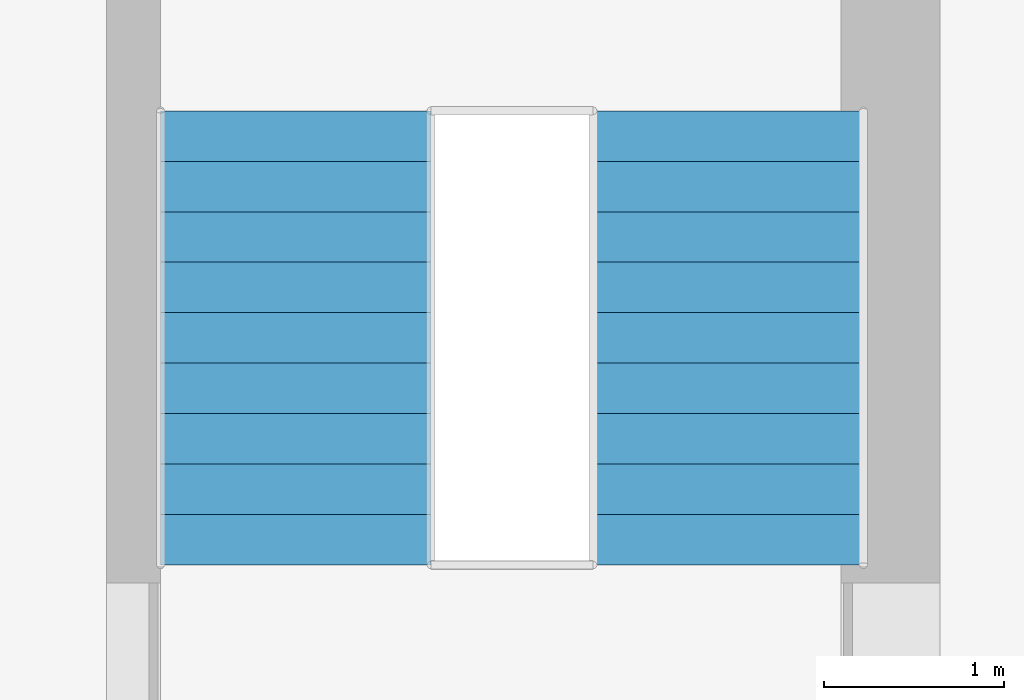
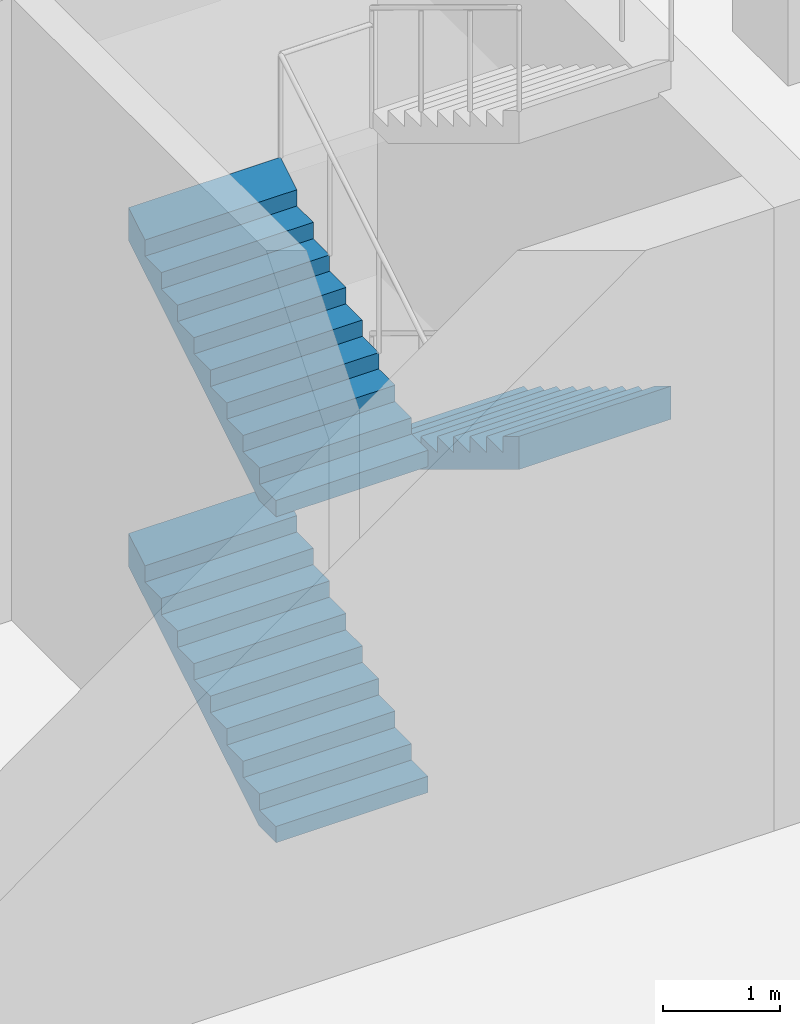
# One storey, part 4 of 10: 3 stair flights, 1 element without a shape of its own.
"""IFC4 building model written with IfcOpenShell, lengths in metres."""

from ifc_helpers import new_model, si_unit, direction, frame, origin, place, context, subcontext, project, spatial, triangles, material, type_object, element, aggregate, save


model = new_model("IFC4")

# Units and contexts
model_context = context("Model", 3, precision=1e-05, world=origin(), true_north=direction((0.0, 1.0)))
body_context = subcontext(model_context, "Body", "Model", "MODEL_VIEW")
ifc_project = project(units=[si_unit("LENGTHUNIT", "METRE"), si_unit("AREAUNIT", "SQUARE_METRE"), si_unit("VOLUMEUNIT", "CUBIC_METRE"), si_unit("PLANEANGLEUNIT", "RADIAN"), si_unit("MASSUNIT", "GRAM", prefix="KILO")], contexts=[model_context])

# Site, building, storey
site_placement = place(None, origin())
site = spatial("IfcSite", under=ifc_project, at=site_placement, CompositionType="ELEMENT")
building_placement = place(site_placement, origin())
building = spatial("IfcBuilding", under=site, at=building_placement, Name="Ludao Terraces", CompositionType="ELEMENT")
storey_placement = place(building_placement, frame((0.0, 0.0, 116.89990234375)))
storey = spatial("IfcBuildingStorey", under=building, at=storey_placement, Name="L32", CompositionType="ELEMENT", Elevation=116.89990234375)

# Stair, stair flights
ifc_material = material(Name="Concrete C40", Category="concrete")
stair_type = type_object("IfcStairType", Name="INT Stair", PredefinedType="HALF_TURN_STAIR", material=ifc_material)
stair_placement = place(storey_placement, origin())
stair = element("IfcStair", 1, at=stair_placement, inside=storey, type_object=stair_type, Name="EXIT STAIR 3", PredefinedType="HALF_TURN_STAIR")
stair_flight_type = type_object("IfcStairFlightType", Name="INT Stair flight", PredefinedType="STRAIGHT", material=ifc_material)
stair_flight_1_placement = place(storey_placement, frame((91.449951171875, 56.949951171875, 0.0), z_axis=(0.0, 0.0, 1.0), x_axis=(0.0, 1.0, 0.0)))
stair_flight_1 = element("IfcStairFlight", 2, at=stair_flight_1_placement, type_object=stair_flight_type, Name="ST3 flight 1", NumberOfRisers=10, NumberOfTreads=9, PredefinedType="STRAIGHT", RiserHeight=0.17, TreadLength=0.28, context=body_context, shape_type="Tessellation", body=[
    triangles([(0.0, -0.75, 0.0), (0.0, -0.5, 0.0), (0.0, -0.25, 0.0), (0.0, 0.0, 0.0), (0.0, 0.25, 0.0), (0.0, 0.5, 0.0), (0.0, 0.75, 0.0), (0.0, -0.75, 0.169921875), (0.0, -0.5, 0.169921875), (0.0, -0.25, 0.169921875), (0.0, 0.0, 0.169921875), (0.0, 0.25, 0.169921875), (0.0, 0.5, 0.169921875), (0.0, 0.75, 0.169921875), (0.280029296875, -0.75, 0.169921875), (0.280029296875, -0.5, 0.169921875), (0.280029296875, -0.25, 0.169921875), (0.280029296875, 0.0, 0.169921875), (0.280029296875, 0.25, 0.169921875), (0.280029296875, 0.5, 0.169921875), (0.280029296875, 0.75, 0.169921875), (0.280029296875, -0.75, 0.340087890625), (0.280029296875, -0.5, 0.340087890625), (0.280029296875, -0.25, 0.340087890625), (0.280029296875, 0.0, 0.340087890625), (0.280029296875, 0.25, 0.340087890625), (0.280029296875, 0.5, 0.340087890625), (0.280029296875, 0.75, 0.340087890625), (0.56005859375, -0.75, 0.340087890625), (0.56005859375, -0.5, 0.340087890625), (0.56005859375, -0.25, 0.340087890625), (0.56005859375, 0.0, 0.340087890625), (0.56005859375, 0.25, 0.340087890625), (0.56005859375, 0.5, 0.340087890625), (0.56005859375, 0.75, 0.340087890625), (0.56005859375, -0.75, 0.510009765625), (0.56005859375, -0.5, 0.510009765625), (0.56005859375, -0.25, 0.510009765625), (0.56005859375, 0.0, 0.510009765625), (0.56005859375, 0.25, 0.510009765625), (0.56005859375, 0.5, 0.510009765625), (0.56005859375, 0.75, 0.510009765625), (0.840087890625, -0.75, 0.510009765625), (0.840087890625, -0.5, 0.510009765625), (0.840087890625, -0.25, 0.510009765625), (0.840087890625, 0.0, 0.510009765625), (0.840087890625, 0.25, 0.510009765625), (0.840087890625, 0.5, 0.510009765625), (0.840087890625, 0.75, 0.510009765625), (0.840087890625, -0.75, 0.679931640625), (0.840087890625, -0.5, 0.679931640625), (0.840087890625, -0.25, 0.679931640625), (0.840087890625, 0.0, 0.679931640625), (0.840087890625, 0.25, 0.679931640625), (0.840087890625, 0.5, 0.679931640625), (0.840087890625, 0.75, 0.679931640625), (1.1201171875, -0.75, 0.679931640625), (1.1201171875, -0.5, 0.679931640625), (1.1201171875, -0.25, 0.679931640625), (1.1201171875, 0.0, 0.679931640625), (1.1201171875, 0.25, 0.679931640625), (1.1201171875, 0.5, 0.679931640625), (1.1201171875, 0.75, 0.679931640625), (1.1201171875, -0.75, 0.85009765625), (1.1201171875, -0.5, 0.85009765625), (1.1201171875, -0.25, 0.85009765625), (1.1201171875, 0.0, 0.85009765625), (1.1201171875, 0.25, 0.85009765625), (1.1201171875, 0.5, 0.85009765625), (1.1201171875, 0.75, 0.85009765625), (1.39990234375, -0.75, 0.85009765625), (1.39990234375, -0.5, 0.85009765625), (1.39990234375, -0.25, 0.85009765625), (1.39990234375, 0.0, 0.85009765625), (1.39990234375, 0.25, 0.85009765625), (1.39990234375, 0.5, 0.85009765625), (1.39990234375, 0.75, 0.85009765625), (1.39990234375, -0.75, 1.02001953125), (1.39990234375, -0.5, 1.02001953125), (1.39990234375, -0.25, 1.02001953125), (1.39990234375, 0.0, 1.02001953125), (1.39990234375, 0.25, 1.02001953125), (1.39990234375, 0.5, 1.02001953125), (1.39990234375, 0.75, 1.02001953125), (1.679931640625, -0.75, 1.02001953125), (1.679931640625, -0.5, 1.02001953125), (1.679931640625, -0.25, 1.02001953125), (1.679931640625, 0.0, 1.02001953125), (1.679931640625, 0.25, 1.02001953125), (1.679931640625, 0.5, 1.02001953125), (1.679931640625, 0.75, 1.02001953125), (1.679931640625, -0.75, 1.18994140625), (1.679931640625, -0.5, 1.18994140625), (1.679931640625, -0.25, 1.18994140625), (1.679931640625, 0.0, 1.18994140625), (1.679931640625, 0.25, 1.18994140625), (1.679931640625, 0.5, 1.18994140625), (1.679931640625, 0.75, 1.18994140625), (1.9599609375, -0.75, 1.18994140625), (1.9599609375, -0.5, 1.18994140625), (1.9599609375, -0.25, 1.18994140625), (1.9599609375, 0.0, 1.18994140625), (1.9599609375, 0.25, 1.18994140625), (1.9599609375, 0.5, 1.18994140625), (1.9599609375, 0.75, 1.18994140625), (1.9599609375, -0.75, 1.360107421875), (1.9599609375, -0.5, 1.360107421875), (1.9599609375, -0.25, 1.360107421875), (1.9599609375, 0.0, 1.360107421875), (1.9599609375, 0.25, 1.360107421875), (1.9599609375, 0.5, 1.360107421875), (1.9599609375, 0.75, 1.360107421875), (2.239990234375, -0.75, 1.360107421875), (2.239990234375, -0.5, 1.360107421875), (2.239990234375, -0.25, 1.360107421875), (2.239990234375, 0.0, 1.360107421875), (2.239990234375, 0.25, 1.360107421875), (2.239990234375, 0.5, 1.360107421875), (2.239990234375, 0.75, 1.360107421875), (2.239990234375, -0.75, 1.530029296875), (2.239990234375, -0.5, 1.530029296875), (2.239990234375, -0.25, 1.530029296875), (2.239990234375, 0.0, 1.530029296875), (2.239990234375, 0.25, 1.530029296875), (2.239990234375, 0.5, 1.530029296875), (2.239990234375, 0.75, 1.530029296875), (2.52001953125, -0.75, 1.699951171875), (2.52001953125, -0.5, 1.699951171875), (2.52001953125, -0.25, 1.699951171875), (2.52001953125, 0.0, 1.699951171875), (2.52001953125, 0.25, 1.699951171875), (2.52001953125, 0.5, 1.699951171875), (2.52001953125, 0.75, 1.699951171875), (2.52001953125, -0.75, 1.354736328125), (2.52001953125, -0.5, 1.354736328125), (2.52001953125, -0.25, 1.354736328125), (2.52001953125, 0.0, 1.354736328125), (2.52001953125, 0.25, 1.354736328125), (2.52001953125, 0.5, 1.354736328125), (2.52001953125, 0.75, 1.354736328125), (0.288818359375, -0.75, 0.0), (0.288818359375, -0.5, 0.0), (0.288818359375, -0.25, 0.0), (0.288818359375, 0.0, 0.0), (0.288818359375, 0.25, 0.0), (0.288818359375, 0.5, 0.0), (0.288818359375, 0.75, 0.0)], [[1, 141, 134], [7, 140, 147], [134, 127, 120], [140, 126, 133], [134, 120, 113], [140, 119, 126], [134, 113, 106], [140, 112, 119], [134, 106, 99], [140, 105, 112], [99, 92, 85], [105, 91, 98], [134, 99, 85], [140, 91, 105], [85, 78, 71], [91, 77, 84], [134, 85, 71], [140, 77, 91], [71, 64, 57], [77, 63, 70], [134, 71, 57], [140, 63, 77], [57, 50, 43], [63, 49, 56], [134, 57, 43], [140, 49, 63], [43, 36, 29], [49, 35, 42], [134, 43, 29], [140, 35, 49], [29, 22, 15], [35, 21, 28], [134, 29, 15], [140, 21, 35], [1, 134, 15], [7, 21, 140], [15, 8, 1], [21, 7, 14], [1, 9, 2], [1, 8, 9], [2, 10, 3], [2, 9, 10], [3, 11, 4], [3, 10, 11], [4, 12, 5], [4, 11, 12], [5, 13, 6], [5, 12, 13], [6, 14, 7], [6, 13, 14], [8, 16, 9], [8, 15, 16], [9, 17, 10], [9, 16, 17], [10, 18, 11], [10, 17, 18], [11, 19, 12], [11, 18, 19], [12, 20, 13], [12, 19, 20], [13, 21, 14], [13, 20, 21], [15, 23, 16], [15, 22, 23], [16, 24, 17], [16, 23, 24], [17, 25, 18], [17, 24, 25], [18, 26, 19], [18, 25, 26], [19, 27, 20], [19, 26, 27], [20, 28, 21], [20, 27, 28], [22, 30, 23], [22, 29, 30], [23, 31, 24], [23, 30, 31], [24, 32, 25], [24, 31, 32], [25, 33, 26], [25, 32, 33], [26, 34, 27], [26, 33, 34], [27, 35, 28], [27, 34, 35], [29, 37, 30], [29, 36, 37], [30, 38, 31], [30, 37, 38], [31, 39, 32], [31, 38, 39], [32, 40, 33], [32, 39, 40], [33, 41, 34], [33, 40, 41], [34, 42, 35], [34, 41, 42], [36, 44, 37], [36, 43, 44], [37, 45, 38], [37, 44, 45], [38, 46, 39], [38, 45, 46], [39, 47, 40], [39, 46, 47], [40, 48, 41], [40, 47, 48], [41, 49, 42], [41, 48, 49], [43, 51, 44], [43, 50, 51], [44, 52, 45], [44, 51, 52], [45, 53, 46], [45, 52, 53], [46, 54, 47], [46, 53, 54], [47, 55, 48], [47, 54, 55], [48, 56, 49], [48, 55, 56], [50, 58, 51], [50, 57, 58], [51, 59, 52], [51, 58, 59], [52, 60, 53], [52, 59, 60], [53, 61, 54], [53, 60, 61], [54, 62, 55], [54, 61, 62], [55, 63, 56], [55, 62, 63], [57, 65, 58], [57, 64, 65], [58, 66, 59], [58, 65, 66], [59, 67, 60], [59, 66, 67], [60, 68, 61], [60, 67, 68], [61, 69, 62], [61, 68, 69], [62, 70, 63], [62, 69, 70], [64, 72, 65], [64, 71, 72], [65, 73, 66], [65, 72, 73], [66, 74, 67], [66, 73, 74], [67, 75, 68], [67, 74, 75], [68, 76, 69], [68, 75, 76], [69, 77, 70], [69, 76, 77], [71, 79, 72], [71, 78, 79], [72, 80, 73], [72, 79, 80], [73, 81, 74], [73, 80, 81], [74, 82, 75], [74, 81, 82], [75, 83, 76], [75, 82, 83], [76, 84, 77], [76, 83, 84], [78, 86, 79], [78, 85, 86], [79, 87, 80], [79, 86, 87], [80, 88, 81], [80, 87, 88], [81, 89, 82], [81, 88, 89], [82, 90, 83], [82, 89, 90], [83, 91, 84], [83, 90, 91], [85, 93, 86], [85, 92, 93], [86, 94, 87], [86, 93, 94], [87, 95, 88], [87, 94, 95], [88, 96, 89], [88, 95, 96], [89, 97, 90], [89, 96, 97], [90, 98, 91], [90, 97, 98], [92, 100, 93], [92, 99, 100], [93, 101, 94], [93, 100, 101], [94, 102, 95], [94, 101, 102], [95, 103, 96], [95, 102, 103], [96, 104, 97], [96, 103, 104], [97, 105, 98], [97, 104, 105], [99, 107, 100], [99, 106, 107], [100, 108, 101], [100, 107, 108], [101, 109, 102], [101, 108, 109], [102, 110, 103], [102, 109, 110], [103, 111, 104], [103, 110, 111], [104, 112, 105], [104, 111, 112], [106, 114, 107], [106, 113, 114], [107, 115, 108], [107, 114, 115], [108, 116, 109], [108, 115, 116], [109, 117, 110], [109, 116, 117], [110, 118, 111], [110, 117, 118], [111, 119, 112], [111, 118, 119], [113, 121, 114], [113, 120, 121], [114, 122, 115], [114, 121, 122], [115, 123, 116], [115, 122, 123], [116, 124, 117], [116, 123, 124], [117, 125, 118], [117, 124, 125], [118, 126, 119], [118, 125, 126], [120, 128, 121], [120, 127, 128], [121, 129, 122], [121, 128, 129], [122, 130, 123], [122, 129, 130], [123, 131, 124], [123, 130, 131], [124, 132, 125], [124, 131, 132], [125, 133, 126], [125, 132, 133], [127, 135, 128], [127, 134, 135], [128, 136, 129], [128, 135, 136], [129, 137, 130], [129, 136, 137], [130, 138, 131], [130, 137, 138], [131, 139, 132], [131, 138, 139], [132, 140, 133], [132, 139, 140], [134, 142, 135], [134, 141, 142], [135, 143, 136], [135, 142, 143], [136, 144, 137], [136, 143, 144], [137, 145, 138], [137, 144, 145], [138, 146, 139], [138, 145, 146], [139, 147, 140], [139, 146, 147], [141, 2, 142], [141, 1, 2], [142, 3, 143], [142, 2, 3], [143, 4, 144], [143, 3, 4], [144, 5, 145], [144, 4, 5], [145, 6, 146], [145, 5, 6], [146, 7, 147], [146, 6, 7]], closed=True),
])
stair_flight_2_placement = place(storey_placement, frame((93.85009765625, 59.469970703125, 1.7001953125), z_axis=(0.0, 0.0, 1.0), x_axis=(0.0, -1.0, 0.0)))
stair_flight_2 = element("IfcStairFlight", 3, at=stair_flight_2_placement, type_object=stair_flight_type, Name="ST3 flight 2", NumberOfRisers=10, NumberOfTreads=9, PredefinedType="STRAIGHT", RiserHeight=0.17, TreadLength=0.28, context=body_context, shape_type="Tessellation", body=[
    triangles([(0.0, -0.75, 0.0), (0.0, -0.5, 0.0), (0.0, -0.25, 0.0), (0.0, 0.0, 0.0), (0.0, 0.25, 0.0), (0.0, 0.5, 0.0), (0.0, 0.75, 0.0), (0.0, -0.75, 0.169921875), (0.0, -0.5, 0.169921875), (0.0, -0.25, 0.169921875), (0.0, 0.0, 0.169921875), (0.0, 0.25, 0.169921875), (0.0, 0.5, 0.169921875), (0.0, 0.75, 0.169921875), (0.280029296875, -0.75, 0.169921875), (0.280029296875, -0.5, 0.169921875), (0.280029296875, -0.25, 0.169921875), (0.280029296875, 0.0, 0.169921875), (0.280029296875, 0.25, 0.169921875), (0.280029296875, 0.5, 0.169921875), (0.280029296875, 0.75, 0.169921875), (0.280029296875, -0.75, 0.340087890625), (0.280029296875, -0.5, 0.340087890625), (0.280029296875, -0.25, 0.340087890625), (0.280029296875, 0.0, 0.340087890625), (0.280029296875, 0.25, 0.340087890625), (0.280029296875, 0.5, 0.340087890625), (0.280029296875, 0.75, 0.340087890625), (0.56005859375, -0.75, 0.340087890625), (0.56005859375, -0.5, 0.340087890625), (0.56005859375, -0.25, 0.340087890625), (0.56005859375, 0.0, 0.340087890625), (0.56005859375, 0.25, 0.340087890625), (0.56005859375, 0.5, 0.340087890625), (0.56005859375, 0.75, 0.340087890625), (0.56005859375, -0.75, 0.510009765625), (0.56005859375, -0.5, 0.510009765625), (0.56005859375, -0.25, 0.510009765625), (0.56005859375, 0.0, 0.510009765625), (0.56005859375, 0.25, 0.510009765625), (0.56005859375, 0.5, 0.510009765625), (0.56005859375, 0.75, 0.510009765625), (0.840087890625, -0.75, 0.510009765625), (0.840087890625, -0.5, 0.510009765625), (0.840087890625, -0.25, 0.510009765625), (0.840087890625, 0.0, 0.510009765625), (0.840087890625, 0.25, 0.510009765625), (0.840087890625, 0.5, 0.510009765625), (0.840087890625, 0.75, 0.510009765625), (0.840087890625, -0.75, 0.679931640625), (0.840087890625, -0.5, 0.679931640625), (0.840087890625, -0.25, 0.679931640625), (0.840087890625, 0.0, 0.679931640625), (0.840087890625, 0.25, 0.679931640625), (0.840087890625, 0.5, 0.679931640625), (0.840087890625, 0.75, 0.679931640625), (1.1201171875, -0.75, 0.679931640625), (1.1201171875, -0.5, 0.679931640625), (1.1201171875, -0.25, 0.679931640625), (1.1201171875, 0.0, 0.679931640625), (1.1201171875, 0.25, 0.679931640625), (1.1201171875, 0.5, 0.679931640625), (1.1201171875, 0.75, 0.679931640625), (1.1201171875, -0.75, 0.85009765625), (1.1201171875, -0.5, 0.85009765625), (1.1201171875, -0.25, 0.85009765625), (1.1201171875, 0.0, 0.85009765625), (1.1201171875, 0.25, 0.85009765625), (1.1201171875, 0.5, 0.85009765625), (1.1201171875, 0.75, 0.85009765625), (1.39990234375, -0.75, 0.85009765625), (1.39990234375, -0.5, 0.85009765625), (1.39990234375, -0.25, 0.85009765625), (1.39990234375, 0.0, 0.85009765625), (1.39990234375, 0.25, 0.85009765625), (1.39990234375, 0.5, 0.85009765625), (1.39990234375, 0.75, 0.85009765625), (1.39990234375, -0.75, 1.02001953125), (1.39990234375, -0.5, 1.02001953125), (1.39990234375, -0.25, 1.02001953125), (1.39990234375, 0.0, 1.02001953125), (1.39990234375, 0.25, 1.02001953125), (1.39990234375, 0.5, 1.02001953125), (1.39990234375, 0.75, 1.02001953125), (1.679931640625, -0.75, 1.02001953125), (1.679931640625, -0.5, 1.02001953125), (1.679931640625, -0.25, 1.02001953125), (1.679931640625, 0.0, 1.02001953125), (1.679931640625, 0.25, 1.02001953125), (1.679931640625, 0.5, 1.02001953125), (1.679931640625, 0.75, 1.02001953125), (1.679931640625, -0.75, 1.18994140625), (1.679931640625, -0.5, 1.18994140625), (1.679931640625, -0.25, 1.18994140625), (1.679931640625, 0.0, 1.18994140625), (1.679931640625, 0.25, 1.18994140625), (1.679931640625, 0.5, 1.18994140625), (1.679931640625, 0.75, 1.18994140625), (1.9599609375, -0.75, 1.18994140625), (1.9599609375, -0.5, 1.18994140625), (1.9599609375, -0.25, 1.18994140625), (1.9599609375, 0.0, 1.18994140625), (1.9599609375, 0.25, 1.18994140625), (1.9599609375, 0.5, 1.18994140625), (1.9599609375, 0.75, 1.18994140625), (1.9599609375, -0.75, 1.360107421875), (1.9599609375, -0.5, 1.360107421875), (1.9599609375, -0.25, 1.360107421875), (1.9599609375, 0.0, 1.360107421875), (1.9599609375, 0.25, 1.360107421875), (1.9599609375, 0.5, 1.360107421875), (1.9599609375, 0.75, 1.360107421875), (2.239990234375, -0.75, 1.360107421875), (2.239990234375, -0.5, 1.360107421875), (2.239990234375, -0.25, 1.360107421875), (2.239990234375, 0.0, 1.360107421875), (2.239990234375, 0.25, 1.360107421875), (2.239990234375, 0.5, 1.360107421875), (2.239990234375, 0.75, 1.360107421875), (2.239990234375, -0.75, 1.530029296875), (2.239990234375, -0.5, 1.530029296875), (2.239990234375, -0.25, 1.530029296875), (2.239990234375, 0.0, 1.530029296875), (2.239990234375, 0.25, 1.530029296875), (2.239990234375, 0.5, 1.530029296875), (2.239990234375, 0.75, 1.530029296875), (2.52001953125, -0.75, 1.699951171875), (2.52001953125, -0.5, 1.699951171875), (2.52001953125, -0.25, 1.699951171875), (2.52001953125, 0.0, 1.699951171875), (2.52001953125, 0.25, 1.699951171875), (2.52001953125, 0.5, 1.699951171875), (2.52001953125, 0.75, 1.699951171875), (2.52001953125, -0.75, 1.354736328125), (2.52001953125, -0.5, 1.354736328125), (2.52001953125, -0.25, 1.354736328125), (2.52001953125, 0.0, 1.354736328125), (2.52001953125, 0.25, 1.354736328125), (2.52001953125, 0.5, 1.354736328125), (2.52001953125, 0.75, 1.354736328125), (0.288818359375, -0.75, 0.0), (0.288818359375, -0.5, 0.0), (0.288818359375, -0.25, 0.0), (0.288818359375, 0.0, 0.0), (0.288818359375, 0.25, 0.0), (0.288818359375, 0.5, 0.0), (0.288818359375, 0.75, 0.0)], [[1, 141, 134], [7, 140, 147], [134, 127, 120], [140, 126, 133], [134, 120, 113], [140, 119, 126], [134, 113, 106], [140, 112, 119], [134, 106, 99], [140, 105, 112], [99, 92, 85], [105, 91, 98], [134, 99, 85], [140, 91, 105], [85, 78, 71], [91, 77, 84], [134, 85, 71], [140, 77, 91], [71, 64, 57], [77, 63, 70], [134, 71, 57], [140, 63, 77], [57, 50, 43], [63, 49, 56], [134, 57, 43], [140, 49, 63], [43, 36, 29], [49, 35, 42], [134, 43, 29], [140, 35, 49], [29, 22, 15], [35, 21, 28], [134, 29, 15], [140, 21, 35], [1, 134, 15], [7, 21, 140], [15, 8, 1], [21, 7, 14], [1, 9, 2], [1, 8, 9], [2, 10, 3], [2, 9, 10], [3, 11, 4], [3, 10, 11], [4, 12, 5], [4, 11, 12], [5, 13, 6], [5, 12, 13], [6, 14, 7], [6, 13, 14], [8, 16, 9], [8, 15, 16], [9, 17, 10], [9, 16, 17], [10, 18, 11], [10, 17, 18], [11, 19, 12], [11, 18, 19], [12, 20, 13], [12, 19, 20], [13, 21, 14], [13, 20, 21], [15, 23, 16], [15, 22, 23], [16, 24, 17], [16, 23, 24], [17, 25, 18], [17, 24, 25], [18, 26, 19], [18, 25, 26], [19, 27, 20], [19, 26, 27], [20, 28, 21], [20, 27, 28], [22, 30, 23], [22, 29, 30], [23, 31, 24], [23, 30, 31], [24, 32, 25], [24, 31, 32], [25, 33, 26], [25, 32, 33], [26, 34, 27], [26, 33, 34], [27, 35, 28], [27, 34, 35], [29, 37, 30], [29, 36, 37], [30, 38, 31], [30, 37, 38], [31, 39, 32], [31, 38, 39], [32, 40, 33], [32, 39, 40], [33, 41, 34], [33, 40, 41], [34, 42, 35], [34, 41, 42], [36, 44, 37], [36, 43, 44], [37, 45, 38], [37, 44, 45], [38, 46, 39], [38, 45, 46], [39, 47, 40], [39, 46, 47], [40, 48, 41], [40, 47, 48], [41, 49, 42], [41, 48, 49], [43, 51, 44], [43, 50, 51], [44, 52, 45], [44, 51, 52], [45, 53, 46], [45, 52, 53], [46, 54, 47], [46, 53, 54], [47, 55, 48], [47, 54, 55], [48, 56, 49], [48, 55, 56], [50, 58, 51], [50, 57, 58], [51, 59, 52], [51, 58, 59], [52, 60, 53], [52, 59, 60], [53, 61, 54], [53, 60, 61], [54, 62, 55], [54, 61, 62], [55, 63, 56], [55, 62, 63], [57, 65, 58], [57, 64, 65], [58, 66, 59], [58, 65, 66], [59, 67, 60], [59, 66, 67], [60, 68, 61], [60, 67, 68], [61, 69, 62], [61, 68, 69], [62, 70, 63], [62, 69, 70], [64, 72, 65], [64, 71, 72], [65, 73, 66], [65, 72, 73], [66, 74, 67], [66, 73, 74], [67, 75, 68], [67, 74, 75], [68, 76, 69], [68, 75, 76], [69, 77, 70], [69, 76, 77], [71, 79, 72], [71, 78, 79], [72, 80, 73], [72, 79, 80], [73, 81, 74], [73, 80, 81], [74, 82, 75], [74, 81, 82], [75, 83, 76], [75, 82, 83], [76, 84, 77], [76, 83, 84], [78, 86, 79], [78, 85, 86], [79, 87, 80], [79, 86, 87], [80, 88, 81], [80, 87, 88], [81, 89, 82], [81, 88, 89], [82, 90, 83], [82, 89, 90], [83, 91, 84], [83, 90, 91], [85, 93, 86], [85, 92, 93], [86, 94, 87], [86, 93, 94], [87, 95, 88], [87, 94, 95], [88, 96, 89], [88, 95, 96], [89, 97, 90], [89, 96, 97], [90, 98, 91], [90, 97, 98], [92, 100, 93], [92, 99, 100], [93, 101, 94], [93, 100, 101], [94, 102, 95], [94, 101, 102], [95, 103, 96], [95, 102, 103], [96, 104, 97], [96, 103, 104], [97, 105, 98], [97, 104, 105], [99, 107, 100], [99, 106, 107], [100, 108, 101], [100, 107, 108], [101, 109, 102], [101, 108, 109], [102, 110, 103], [102, 109, 110], [103, 111, 104], [103, 110, 111], [104, 112, 105], [104, 111, 112], [106, 114, 107], [106, 113, 114], [107, 115, 108], [107, 114, 115], [108, 116, 109], [108, 115, 116], [109, 117, 110], [109, 116, 117], [110, 118, 111], [110, 117, 118], [111, 119, 112], [111, 118, 119], [113, 121, 114], [113, 120, 121], [114, 122, 115], [114, 121, 122], [115, 123, 116], [115, 122, 123], [116, 124, 117], [116, 123, 124], [117, 125, 118], [117, 124, 125], [118, 126, 119], [118, 125, 126], [120, 128, 121], [120, 127, 128], [121, 129, 122], [121, 128, 129], [122, 130, 123], [122, 129, 130], [123, 131, 124], [123, 130, 131], [124, 132, 125], [124, 131, 132], [125, 133, 126], [125, 132, 133], [127, 135, 128], [127, 134, 135], [128, 136, 129], [128, 135, 136], [129, 137, 130], [129, 136, 137], [130, 138, 131], [130, 137, 138], [131, 139, 132], [131, 138, 139], [132, 140, 133], [132, 139, 140], [134, 142, 135], [134, 141, 142], [135, 143, 136], [135, 142, 143], [136, 144, 137], [136, 143, 144], [137, 145, 138], [137, 144, 145], [138, 146, 139], [138, 145, 146], [139, 147, 140], [139, 146, 147], [141, 2, 142], [141, 1, 2], [142, 3, 143], [142, 2, 3], [143, 4, 144], [143, 3, 4], [144, 5, 145], [144, 4, 5], [145, 6, 146], [145, 5, 6], [146, 7, 147], [146, 6, 7]], closed=True),
])
stair_flight_3_placement = place(storey_placement, frame((91.449951171875, 56.949951171875, 3.400146484375), z_axis=(0.0, 0.0, 1.0), x_axis=(0.0, 1.0, 0.0)))
stair_flight_3 = element("IfcStairFlight", 4, at=stair_flight_3_placement, type_object=stair_flight_type, Name="ST3 flight 3", NumberOfRisers=10, NumberOfTreads=9, PredefinedType="STRAIGHT", RiserHeight=0.17, TreadLength=0.28, context=body_context, shape_type="Tessellation", body=[
    triangles([(0.0, -0.75, 0.0), (0.0, -0.5, 0.0), (0.0, -0.25, 0.0), (0.0, 0.0, 0.0), (0.0, 0.25, 0.0), (0.0, 0.5, 0.0), (0.0, 0.75, 0.0), (0.0, -0.75, 0.169921875), (0.0, -0.5, 0.169921875), (0.0, -0.25, 0.169921875), (0.0, 0.0, 0.169921875), (0.0, 0.25, 0.169921875), (0.0, 0.5, 0.169921875), (0.0, 0.75, 0.169921875), (0.280029296875, -0.75, 0.169921875), (0.280029296875, -0.5, 0.169921875), (0.280029296875, -0.25, 0.169921875), (0.280029296875, 0.0, 0.169921875), (0.280029296875, 0.25, 0.169921875), (0.280029296875, 0.5, 0.169921875), (0.280029296875, 0.75, 0.169921875), (0.280029296875, -0.75, 0.340087890625), (0.280029296875, -0.5, 0.340087890625), (0.280029296875, -0.25, 0.340087890625), (0.280029296875, 0.0, 0.340087890625), (0.280029296875, 0.25, 0.340087890625), (0.280029296875, 0.5, 0.340087890625), (0.280029296875, 0.75, 0.340087890625), (0.56005859375, -0.75, 0.340087890625), (0.56005859375, -0.5, 0.340087890625), (0.56005859375, -0.25, 0.340087890625), (0.56005859375, 0.0, 0.340087890625), (0.56005859375, 0.25, 0.340087890625), (0.56005859375, 0.5, 0.340087890625), (0.56005859375, 0.75, 0.340087890625), (0.56005859375, -0.75, 0.510009765625), (0.56005859375, -0.5, 0.510009765625), (0.56005859375, -0.25, 0.510009765625), (0.56005859375, 0.0, 0.510009765625), (0.56005859375, 0.25, 0.510009765625), (0.56005859375, 0.5, 0.510009765625), (0.56005859375, 0.75, 0.510009765625), (0.840087890625, -0.75, 0.510009765625), (0.840087890625, -0.5, 0.510009765625), (0.840087890625, -0.25, 0.510009765625), (0.840087890625, 0.0, 0.510009765625), (0.840087890625, 0.25, 0.510009765625), (0.840087890625, 0.5, 0.510009765625), (0.840087890625, 0.75, 0.510009765625), (0.840087890625, -0.75, 0.679931640625), (0.840087890625, -0.5, 0.679931640625), (0.840087890625, -0.25, 0.679931640625), (0.840087890625, 0.0, 0.679931640625), (0.840087890625, 0.25, 0.679931640625), (0.840087890625, 0.5, 0.679931640625), (0.840087890625, 0.75, 0.679931640625), (1.1201171875, -0.75, 0.679931640625), (1.1201171875, -0.5, 0.679931640625), (1.1201171875, -0.25, 0.679931640625), (1.1201171875, 0.0, 0.679931640625), (1.1201171875, 0.25, 0.679931640625), (1.1201171875, 0.5, 0.679931640625), (1.1201171875, 0.75, 0.679931640625), (1.1201171875, -0.75, 0.85009765625), (1.1201171875, -0.5, 0.85009765625), (1.1201171875, -0.25, 0.85009765625), (1.1201171875, 0.0, 0.85009765625), (1.1201171875, 0.25, 0.85009765625), (1.1201171875, 0.5, 0.85009765625), (1.1201171875, 0.75, 0.85009765625), (1.39990234375, -0.75, 0.85009765625), (1.39990234375, -0.5, 0.85009765625), (1.39990234375, -0.25, 0.85009765625), (1.39990234375, 0.0, 0.85009765625), (1.39990234375, 0.25, 0.85009765625), (1.39990234375, 0.5, 0.85009765625), (1.39990234375, 0.75, 0.85009765625), (1.39990234375, -0.75, 1.02001953125), (1.39990234375, -0.5, 1.02001953125), (1.39990234375, -0.25, 1.02001953125), (1.39990234375, 0.0, 1.02001953125), (1.39990234375, 0.25, 1.02001953125), (1.39990234375, 0.5, 1.02001953125), (1.39990234375, 0.75, 1.02001953125), (1.679931640625, -0.75, 1.02001953125), (1.679931640625, -0.5, 1.02001953125), (1.679931640625, -0.25, 1.02001953125), (1.679931640625, 0.0, 1.02001953125), (1.679931640625, 0.25, 1.02001953125), (1.679931640625, 0.5, 1.02001953125), (1.679931640625, 0.75, 1.02001953125), (1.679931640625, -0.75, 1.18994140625), (1.679931640625, -0.5, 1.18994140625), (1.679931640625, -0.25, 1.18994140625), (1.679931640625, 0.0, 1.18994140625), (1.679931640625, 0.25, 1.18994140625), (1.679931640625, 0.5, 1.18994140625), (1.679931640625, 0.75, 1.18994140625), (1.9599609375, -0.75, 1.18994140625), (1.9599609375, -0.5, 1.18994140625), (1.9599609375, -0.25, 1.18994140625), (1.9599609375, 0.0, 1.18994140625), (1.9599609375, 0.25, 1.18994140625), (1.9599609375, 0.5, 1.18994140625), (1.9599609375, 0.75, 1.18994140625), (1.9599609375, -0.75, 1.360107421875), (1.9599609375, -0.5, 1.360107421875), (1.9599609375, -0.25, 1.360107421875), (1.9599609375, 0.0, 1.360107421875), (1.9599609375, 0.25, 1.360107421875), (1.9599609375, 0.5, 1.360107421875), (1.9599609375, 0.75, 1.360107421875), (2.239990234375, -0.75, 1.360107421875), (2.239990234375, -0.5, 1.360107421875), (2.239990234375, -0.25, 1.360107421875), (2.239990234375, 0.0, 1.360107421875), (2.239990234375, 0.25, 1.360107421875), (2.239990234375, 0.5, 1.360107421875), (2.239990234375, 0.75, 1.360107421875), (2.239990234375, -0.75, 1.530029296875), (2.239990234375, -0.5, 1.530029296875), (2.239990234375, -0.25, 1.530029296875), (2.239990234375, 0.0, 1.530029296875), (2.239990234375, 0.25, 1.530029296875), (2.239990234375, 0.5, 1.530029296875), (2.239990234375, 0.75, 1.530029296875), (2.52001953125, -0.75, 1.699951171875), (2.52001953125, -0.5, 1.699951171875), (2.52001953125, -0.25, 1.699951171875), (2.52001953125, 0.0, 1.699951171875), (2.52001953125, 0.25, 1.699951171875), (2.52001953125, 0.5, 1.699951171875), (2.52001953125, 0.75, 1.699951171875), (2.52001953125, -0.75, 1.354736328125), (2.52001953125, -0.5, 1.354736328125), (2.52001953125, -0.25, 1.354736328125), (2.52001953125, 0.0, 1.354736328125), (2.52001953125, 0.25, 1.354736328125), (2.52001953125, 0.5, 1.354736328125), (2.52001953125, 0.75, 1.354736328125), (0.288818359375, -0.75, 0.0), (0.288818359375, -0.5, 0.0), (0.288818359375, -0.25, 0.0), (0.288818359375, 0.0, 0.0), (0.288818359375, 0.25, 0.0), (0.288818359375, 0.5, 0.0), (0.288818359375, 0.75, 0.0)], [[1, 141, 134], [7, 140, 147], [134, 127, 120], [140, 126, 133], [134, 120, 113], [140, 119, 126], [134, 113, 106], [140, 112, 119], [134, 106, 99], [140, 105, 112], [99, 92, 85], [105, 91, 98], [134, 99, 85], [140, 91, 105], [85, 78, 71], [91, 77, 84], [134, 85, 71], [140, 77, 91], [71, 64, 57], [77, 63, 70], [134, 71, 57], [140, 63, 77], [57, 50, 43], [63, 49, 56], [134, 57, 43], [140, 49, 63], [43, 36, 29], [49, 35, 42], [134, 43, 29], [140, 35, 49], [29, 22, 15], [35, 21, 28], [134, 29, 15], [140, 21, 35], [1, 134, 15], [7, 21, 140], [15, 8, 1], [21, 7, 14], [1, 9, 2], [1, 8, 9], [2, 10, 3], [2, 9, 10], [3, 11, 4], [3, 10, 11], [4, 12, 5], [4, 11, 12], [5, 13, 6], [5, 12, 13], [6, 14, 7], [6, 13, 14], [8, 16, 9], [8, 15, 16], [9, 17, 10], [9, 16, 17], [10, 18, 11], [10, 17, 18], [11, 19, 12], [11, 18, 19], [12, 20, 13], [12, 19, 20], [13, 21, 14], [13, 20, 21], [15, 23, 16], [15, 22, 23], [16, 24, 17], [16, 23, 24], [17, 25, 18], [17, 24, 25], [18, 26, 19], [18, 25, 26], [19, 27, 20], [19, 26, 27], [20, 28, 21], [20, 27, 28], [22, 30, 23], [22, 29, 30], [23, 31, 24], [23, 30, 31], [24, 32, 25], [24, 31, 32], [25, 33, 26], [25, 32, 33], [26, 34, 27], [26, 33, 34], [27, 35, 28], [27, 34, 35], [29, 37, 30], [29, 36, 37], [30, 38, 31], [30, 37, 38], [31, 39, 32], [31, 38, 39], [32, 40, 33], [32, 39, 40], [33, 41, 34], [33, 40, 41], [34, 42, 35], [34, 41, 42], [36, 44, 37], [36, 43, 44], [37, 45, 38], [37, 44, 45], [38, 46, 39], [38, 45, 46], [39, 47, 40], [39, 46, 47], [40, 48, 41], [40, 47, 48], [41, 49, 42], [41, 48, 49], [43, 51, 44], [43, 50, 51], [44, 52, 45], [44, 51, 52], [45, 53, 46], [45, 52, 53], [46, 54, 47], [46, 53, 54], [47, 55, 48], [47, 54, 55], [48, 56, 49], [48, 55, 56], [50, 58, 51], [50, 57, 58], [51, 59, 52], [51, 58, 59], [52, 60, 53], [52, 59, 60], [53, 61, 54], [53, 60, 61], [54, 62, 55], [54, 61, 62], [55, 63, 56], [55, 62, 63], [57, 65, 58], [57, 64, 65], [58, 66, 59], [58, 65, 66], [59, 67, 60], [59, 66, 67], [60, 68, 61], [60, 67, 68], [61, 69, 62], [61, 68, 69], [62, 70, 63], [62, 69, 70], [64, 72, 65], [64, 71, 72], [65, 73, 66], [65, 72, 73], [66, 74, 67], [66, 73, 74], [67, 75, 68], [67, 74, 75], [68, 76, 69], [68, 75, 76], [69, 77, 70], [69, 76, 77], [71, 79, 72], [71, 78, 79], [72, 80, 73], [72, 79, 80], [73, 81, 74], [73, 80, 81], [74, 82, 75], [74, 81, 82], [75, 83, 76], [75, 82, 83], [76, 84, 77], [76, 83, 84], [78, 86, 79], [78, 85, 86], [79, 87, 80], [79, 86, 87], [80, 88, 81], [80, 87, 88], [81, 89, 82], [81, 88, 89], [82, 90, 83], [82, 89, 90], [83, 91, 84], [83, 90, 91], [85, 93, 86], [85, 92, 93], [86, 94, 87], [86, 93, 94], [87, 95, 88], [87, 94, 95], [88, 96, 89], [88, 95, 96], [89, 97, 90], [89, 96, 97], [90, 98, 91], [90, 97, 98], [92, 100, 93], [92, 99, 100], [93, 101, 94], [93, 100, 101], [94, 102, 95], [94, 101, 102], [95, 103, 96], [95, 102, 103], [96, 104, 97], [96, 103, 104], [97, 105, 98], [97, 104, 105], [99, 107, 100], [99, 106, 107], [100, 108, 101], [100, 107, 108], [101, 109, 102], [101, 108, 109], [102, 110, 103], [102, 109, 110], [103, 111, 104], [103, 110, 111], [104, 112, 105], [104, 111, 112], [106, 114, 107], [106, 113, 114], [107, 115, 108], [107, 114, 115], [108, 116, 109], [108, 115, 116], [109, 117, 110], [109, 116, 117], [110, 118, 111], [110, 117, 118], [111, 119, 112], [111, 118, 119], [113, 121, 114], [113, 120, 121], [114, 122, 115], [114, 121, 122], [115, 123, 116], [115, 122, 123], [116, 124, 117], [116, 123, 124], [117, 125, 118], [117, 124, 125], [118, 126, 119], [118, 125, 126], [120, 128, 121], [120, 127, 128], [121, 129, 122], [121, 128, 129], [122, 130, 123], [122, 129, 130], [123, 131, 124], [123, 130, 131], [124, 132, 125], [124, 131, 132], [125, 133, 126], [125, 132, 133], [127, 135, 128], [127, 134, 135], [128, 136, 129], [128, 135, 136], [129, 137, 130], [129, 136, 137], [130, 138, 131], [130, 137, 138], [131, 139, 132], [131, 138, 139], [132, 140, 133], [132, 139, 140], [134, 142, 135], [134, 141, 142], [135, 143, 136], [135, 142, 143], [136, 144, 137], [136, 143, 144], [137, 145, 138], [137, 144, 145], [138, 146, 139], [138, 145, 146], [139, 147, 140], [139, 146, 147], [141, 2, 142], [141, 1, 2], [142, 3, 143], [142, 2, 3], [143, 4, 144], [143, 3, 4], [144, 5, 145], [144, 4, 5], [145, 6, 146], [145, 5, 6], [146, 7, 147], [146, 6, 7]], closed=True),
])
aggregate(stair, [stair_flight_1, stair_flight_2, stair_flight_3])

save(model, "model.ifc")
